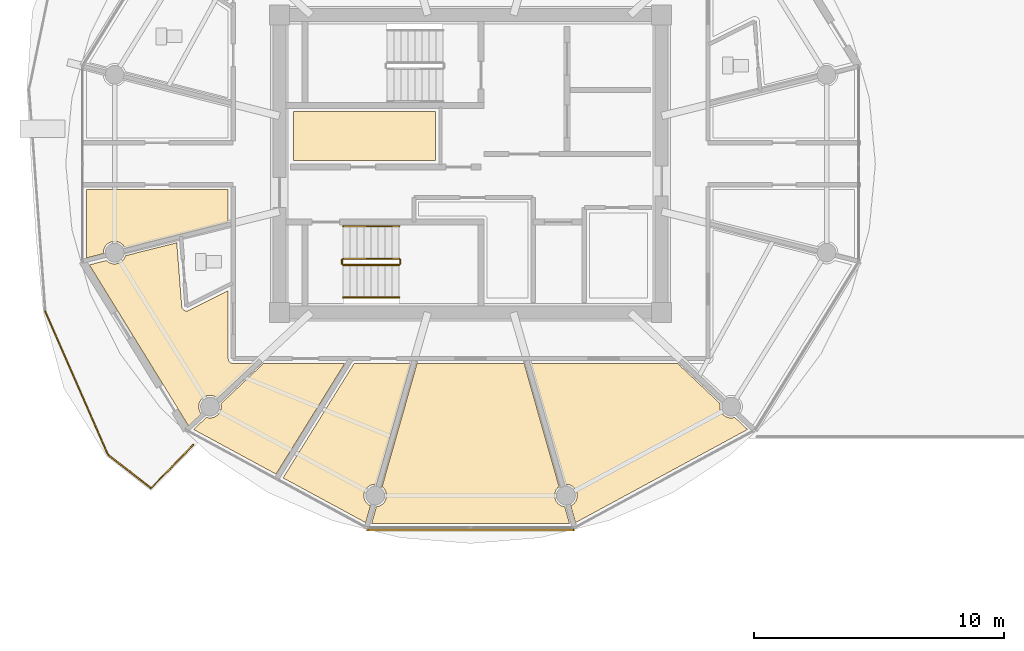
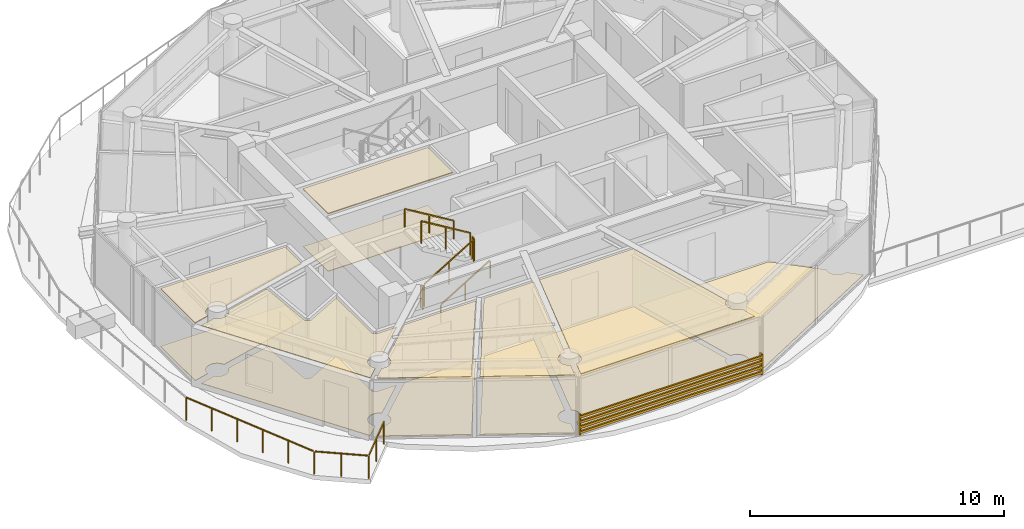
# One storey, part 21 of 30: 13 coverings, 7 railings, 1 shading device.
"""IFC4 building model written with IfcOpenShell, lengths in metres."""

from ifc_helpers import new_model, si_unit, direction, frame, origin, origin_2d, place, context, subcontext, project, spatial, polyline, rectangle, outline, extrude, source, transform, mapped, material, layer, layer_set, type_object, type_shapes, element, save


model = new_model("IFC4")

# Units and contexts
model_context = context("Model", 3, precision=1e-05, world=origin(), true_north=direction((0.0, 1.0)))
body_context = subcontext(model_context, "Body", "Model", "MODEL_VIEW")
ifc_project = project(units=[si_unit("LENGTHUNIT", "METRE"), si_unit("AREAUNIT", "SQUARE_METRE"), si_unit("VOLUMEUNIT", "CUBIC_METRE"), si_unit("PLANEANGLEUNIT", "RADIAN"), si_unit("MASSUNIT", "GRAM", prefix="KILO")], contexts=[model_context])

# Site, building, storey
site_placement = place(None, origin())
site = spatial("IfcSite", under=ifc_project, at=site_placement, CompositionType="ELEMENT")
building_placement = place(site_placement, origin())
building = spatial("IfcBuilding", under=site, at=building_placement, Name="Norrkilde Senior Care Towers", CompositionType="ELEMENT")
storey_placement = place(building_placement, frame((0.0, 0.0, 232.199951171875)))
storey = spatial("IfcBuildingStorey", under=building, at=storey_placement, Name="L72", CompositionType="ELEMENT", Elevation=232.199951171875)

# Coverings
ifc_material_1 = material(Name="Nordic Ash Timber", Category="wood")
ifc_layer_1 = layer(ifc_material_1, 0.044921875)
ifc_layer_set_1 = layer_set([ifc_layer_1], Name="Nordic Ash Timber")
covering_type_1 = type_object("IfcCoveringType", Name="Acoustic Ash Timber Slatted Ceiling 45", PredefinedType="CEILING", material=ifc_layer_set_1)
covering_1_placement = place(storey_placement, frame((0.0, 0.0, 2.76513671875)))
element("IfcCovering", 1, at=covering_1_placement, inside=storey, type_object=covering_type_1, Name="L72 Suspended Ceiling 0421", PredefinedType="CEILING", context=body_context, shape_type="SweptSolid", body=[
    extrude(outline(polyline([(-29.39990234375, 0.1201171875), (-35.080078125, 0.1201171875), (-35.080078125, 2.090087890625), (-29.39990234375, 2.090087890625), (-29.39990234375, 0.1201171875)])), origin(), (0.0, 0.0, 1.0), 0.044921875),
])
covering_2_placement = place(storey_placement, frame((0.0, 0.0, 2.76513671875)))
element("IfcCovering", 2, at=covering_2_placement, inside=storey, type_object=covering_type_1, Name="L72 Suspended Ceiling 0424", PredefinedType="CEILING", context=body_context, shape_type="SweptSolid", body=[
    extrude(outline(polyline([(-37.699951171875, -1.0400390625), (-37.699951171875, -2.331298828125), (-41.834228515625, -3.377685546875), (-41.853271484375, -3.331298828125), (-41.92578125, -3.237060546875), (-42.02001953125, -3.164794921875), (-42.129638671875, -3.119384765625), (-42.247314453125, -3.103759765625), (-42.365234375, -3.119384765625), (-42.474853515625, -3.164794921875), (-42.569091796875, -3.237060546875), (-42.641357421875, -3.331298828125), (-42.68701171875, -3.44091796875), (-42.702392578125, -3.558837890625), (-42.697509765625, -3.59619140625), (-43.37353515625, -3.76708984375), (-43.37353515625, -1.0400390625), (-37.699951171875, -1.0400390625)])), origin(), (0.0, 0.0, 1.0), 0.044921875),
])
covering_3_placement = place(storey_placement, frame((0.0, 0.0, 2.76513671875)))
element("IfcCovering", 3, at=covering_3_placement, inside=storey, type_object=covering_type_1, Name="L72 Suspended Ceiling 0437", PredefinedType="CEILING", context=body_context, shape_type="SweptSolid", body=[
    extrude(outline(polyline([(-39.5556640625, -5.7470703125), (-39.552490234375, -5.758544921875), (-39.55029296875, -5.764892578125), (-39.546142578125, -5.77587890625), (-39.543212890625, -5.7822265625), (-39.5380859375, -5.792724609375), (-39.53466796875, -5.798583984375), (-39.5283203125, -5.80859375), (-39.5244140625, -5.814208984375), (-39.51708984375, -5.8232421875), (-39.5126953125, -5.82861328125), (-39.50439453125, -5.8369140625), (-39.49951171875, -5.841796875), (-39.49072265625, -5.849365234375), (-39.485107421875, -5.853515625), (-39.4755859375, -5.8603515625), (-39.4697265625, -5.864013671875), (-39.45947265625, -5.86962890625), (-39.453369140625, -5.872802734375), (-39.442626953125, -5.87744140625), (-39.436279296875, -5.880126953125), (-39.425048828125, -5.8837890625), (-39.41845703125, -5.885498046875), (-39.4072265625, -5.88818359375), (-39.400390625, -5.88916015625), (-39.388671875, -5.890625), (-39.3818359375, -5.89111328125), (-39.3701171875, -5.891357421875), (-39.36328125, -5.891357421875), (-39.3515625, -5.890380859375), (-39.3447265625, -5.8896484375), (-39.333251953125, -5.8876953125), (-39.326416015625, -5.88623046875), (-39.315185546875, -5.883056640625), (-39.30859375, -5.880859375), (-39.2978515625, -5.876708984375), (-39.29150390625, -5.873779296875), (-39.2861328125, -5.871337890625), (-37.699951171875, -5.076171875), (-37.699951171875, -7.800048828125), (-37.699951171875, -7.805908203125), (-37.699462890625, -7.813720703125), (-37.6982421875, -7.825439453125), (-37.697265625, -7.833251953125), (-37.69482421875, -7.8447265625), (-37.69287109375, -7.852294921875), (-37.689453125, -7.86376953125), (-37.68701171875, -7.87109375), (-37.682373046875, -7.8818359375), (-37.678955078125, -7.888916015625), (-37.673583984375, -7.8994140625), (-37.66943359375, -7.90625), (-37.662841796875, -7.916015625), (-37.658203125, -7.92236328125), (-37.65087890625, -7.931396484375), (-37.6455078125, -7.937255859375), (-37.63720703125, -7.945556640625), (-37.63134765625, -7.95068359375), (-37.622314453125, -7.958251953125), (-37.615966796875, -7.962890625), (-37.606201171875, -7.969482421875), (-37.599365234375, -7.973388671875), (-37.589111328125, -7.97900390625), (-37.58203125, -7.982421875), (-37.571044921875, -7.98681640625), (-37.563720703125, -7.989501953125), (-37.552490234375, -7.992919921875), (-37.544677734375, -7.994873046875), (-37.533203125, -7.9970703125), (-37.525390625, -7.998291015625), (-37.513671875, -7.99951171875), (-37.505859375, -7.999755859375), (-37.5, -8.0), (-36.644287109375, -8.0), (-38.11865234375, -9.392822265625), (-38.202392578125, -9.32861328125), (-38.31201171875, -9.283203125), (-38.429931640625, -9.267822265625), (-38.547607421875, -9.283203125), (-38.6572265625, -9.32861328125), (-38.75146484375, -9.40087890625), (-38.823974609375, -9.4951171875), (-38.869384765625, -9.60498046875), (-38.884765625, -9.72265625), (-38.869384765625, -9.840576171875), (-38.823974609375, -9.9501953125), (-38.775634765625, -10.01318359375), (-39.28662109375, -10.495849609375), (-43.25732421875, -4.04736328125), (-42.573974609375, -3.874267578125), (-42.569091796875, -3.880615234375), (-42.474853515625, -3.952880859375), (-42.365234375, -3.998291015625), (-42.247314453125, -4.013671875), (-42.129638671875, -3.998291015625), (-42.02001953125, -3.952880859375), (-41.92578125, -3.880615234375), (-41.853271484375, -3.786376953125), (-41.809814453125, -3.680908203125), (-39.760009765625, -3.162109375), (-39.560791015625, -5.71630859375), (-39.56005859375, -5.72216796875), (-39.559326171875, -5.72900390625), (-39.55712890625, -5.740478515625), (-39.5556640625, -5.7470703125)])), origin(), (0.0, 0.0, 1.0), 0.044921875),
])
covering_4_placement = place(storey_placement, frame((0.0, 0.0, 2.76513671875)))
element("IfcCovering", 4, at=covering_4_placement, inside=storey, type_object=covering_type_1, Name="L72 Suspended Ceiling 0440", PredefinedType="CEILING", context=body_context, shape_type="SweptSolid", body=[
    extrude(outline(polyline([(-31.96240234375, -14.407470703125), (-31.770263671875, -13.730224609375), (-31.69970703125, -13.720947265625), (-31.590087890625, -13.675537109375), (-31.495849609375, -13.603271484375), (-31.423583984375, -13.509033203125), (-31.378173828125, -13.399169921875), (-31.362548828125, -13.281494140625), (-31.378173828125, -13.163818359375), (-31.423583984375, -13.053955078125), (-31.495849609375, -12.959716796875), (-31.541748046875, -12.924560546875), (-30.144775390625, -8.0), (-25.855224609375, -8.0), (-24.458251953125, -12.924560546875), (-24.504150390625, -12.959716796875), (-24.576416015625, -13.053955078125), (-24.621826171875, -13.163818359375), (-24.637451171875, -13.281494140625), (-24.621826171875, -13.399169921875), (-24.576416015625, -13.509033203125), (-24.504150390625, -13.603271484375), (-24.409912109375, -13.675537109375), (-24.30029296875, -13.720947265625), (-24.229736328125, -13.730224609375), (-24.03759765625, -14.407470703125), (-31.96240234375, -14.407470703125)])), origin(), (0.0, 0.0, 1.0), 0.044921875),
])
ifc_material_2 = material(Name="Gypsum Acoustic Board")
ifc_layer_2 = layer(ifc_material_2, 0.030029296875)
ifc_layer_set_2 = layer_set([ifc_layer_2], Name="Gypsum Acoustic Board")
covering_type_2 = type_object("IfcCoveringType", Name="Medical Cleanable Gypsum Ceiling 30", PredefinedType="CEILING", material=ifc_layer_set_2)
covering_5_placement = place(storey_placement, frame((0.0, 0.0, 2.780029296875)))
element("IfcCovering", 5, at=covering_5_placement, inside=storey, type_object=covering_type_2, Name="L72 Suspended Ceiling 0438", PredefinedType="CEILING", context=body_context, shape_type="SweptSolid", body=[
    extrude(outline(polyline([(-38.57275390625, -10.15185546875), (-38.547607421875, -10.162109375), (-38.429931640625, -10.177734375), (-38.31201171875, -10.162109375), (-38.202392578125, -10.11669921875), (-38.108154296875, -10.04443359375), (-38.035888671875, -9.9501953125), (-37.990234375, -9.840576171875), (-37.974853515625, -9.72265625), (-37.990234375, -9.60498046875), (-37.9912109375, -9.6025390625), (-36.294677734375, -8.0), (-33.040771484375, -8.0), (-35.787353515625, -12.4228515625), (-39.08642578125, -10.636962890625), (-38.57275390625, -10.15185546875)])), origin(), (0.0, 0.0, 1.0), 0.030029296875),
])
covering_6_placement = place(storey_placement, frame((0.0, 0.0, 2.780029296875)))
element("IfcCovering", 6, at=covering_6_placement, inside=storey, type_object=covering_type_2, Name="L72 Suspended Ceiling 0439", PredefinedType="CEILING", context=body_context, shape_type="SweptSolid", body=[
    extrude(outline(polyline([(-31.76513671875, -12.833251953125), (-31.817626953125, -12.826416015625), (-31.935302734375, -12.842041015625), (-32.045166015625, -12.887451171875), (-32.139404296875, -12.959716796875), (-32.211669921875, -13.053955078125), (-32.257080078125, -13.163818359375), (-32.2724609375, -13.281494140625), (-32.257080078125, -13.399169921875), (-32.211669921875, -13.509033203125), (-32.139404296875, -13.603271484375), (-32.045166015625, -13.675537109375), (-32.008544921875, -13.690673828125), (-32.19970703125, -14.364990234375), (-35.50537109375, -12.575439453125), (-32.6640625, -8.0), (-30.39404296875, -8.0), (-31.76513671875, -12.833251953125)])), origin(), (0.0, 0.0, 1.0), 0.030029296875),
])
ifc_material_3 = material(Name="Slip-Resistant Porcelain Stone", Category="masonry")
ifc_layer_3 = layer(ifc_material_3, 0.02490234375)
ifc_layer_set_3 = layer_set([ifc_layer_3], Name="Slip-Resistant Porcelain Stone")
covering_type_3 = type_object("IfcCoveringType", Name="Slip-Resistant Porcelain Flooring 25", PredefinedType="FLOORING", material=ifc_layer_set_3)
covering_7_placement = place(storey_placement, origin())
element("IfcCovering", 7, at=covering_7_placement, inside=storey, type_object=covering_type_3, Name="L72 Floor Finish 0421", PredefinedType="FLOORING", context=body_context, shape_type="SweptSolid", body=[
    extrude(outline(polyline([(-29.39990234375, 0.1201171875), (-35.080078125, 0.1201171875), (-35.080078125, 2.090087890625), (-29.39990234375, 2.090087890625), (-29.39990234375, 0.1201171875)])), origin(), (0.0, 0.0, 1.0), 0.025146484375),
])
covering_8_placement = place(storey_placement, origin())
element("IfcCovering", 8, at=covering_8_placement, inside=storey, type_object=covering_type_3, Name="L72 Floor Finish 0424", PredefinedType="FLOORING", context=body_context, shape_type="SweptSolid", body=[
    extrude(outline(polyline([(-37.699951171875, -1.0400390625), (-37.699951171875, -2.331298828125), (-41.834228515625, -3.377685546875), (-41.853271484375, -3.331298828125), (-41.92578125, -3.237060546875), (-42.02001953125, -3.164794921875), (-42.129638671875, -3.119384765625), (-42.247314453125, -3.103759765625), (-42.365234375, -3.119384765625), (-42.474853515625, -3.164794921875), (-42.569091796875, -3.237060546875), (-42.641357421875, -3.331298828125), (-42.68701171875, -3.44091796875), (-42.702392578125, -3.558837890625), (-42.697509765625, -3.59619140625), (-43.37353515625, -3.76708984375), (-43.37353515625, -1.0400390625), (-37.699951171875, -1.0400390625)])), origin(), (0.0, 0.0, 1.0), 0.025146484375),
])
covering_9_placement = place(storey_placement, origin())
element("IfcCovering", 9, at=covering_9_placement, inside=storey, type_object=covering_type_3, Name="L72 Floor Finish 0437", PredefinedType="FLOORING", context=body_context, shape_type="SweptSolid", body=[
    extrude(outline(polyline([(-39.5556640625, -5.7470703125), (-39.552490234375, -5.758544921875), (-39.55029296875, -5.764892578125), (-39.546142578125, -5.77587890625), (-39.543212890625, -5.7822265625), (-39.5380859375, -5.792724609375), (-39.53466796875, -5.798583984375), (-39.5283203125, -5.80859375), (-39.5244140625, -5.814208984375), (-39.51708984375, -5.8232421875), (-39.5126953125, -5.82861328125), (-39.50439453125, -5.8369140625), (-39.49951171875, -5.841796875), (-39.49072265625, -5.849365234375), (-39.485107421875, -5.853515625), (-39.4755859375, -5.8603515625), (-39.4697265625, -5.864013671875), (-39.45947265625, -5.86962890625), (-39.453369140625, -5.872802734375), (-39.442626953125, -5.87744140625), (-39.436279296875, -5.880126953125), (-39.425048828125, -5.8837890625), (-39.41845703125, -5.885498046875), (-39.4072265625, -5.88818359375), (-39.400390625, -5.88916015625), (-39.388671875, -5.890625), (-39.3818359375, -5.89111328125), (-39.3701171875, -5.891357421875), (-39.36328125, -5.891357421875), (-39.3515625, -5.890380859375), (-39.3447265625, -5.8896484375), (-39.333251953125, -5.8876953125), (-39.326416015625, -5.88623046875), (-39.315185546875, -5.883056640625), (-39.30859375, -5.880859375), (-39.2978515625, -5.876708984375), (-39.29150390625, -5.873779296875), (-39.2861328125, -5.871337890625), (-37.699951171875, -5.076171875), (-37.699951171875, -7.800048828125), (-37.699951171875, -7.805908203125), (-37.699462890625, -7.813720703125), (-37.6982421875, -7.825439453125), (-37.697265625, -7.833251953125), (-37.69482421875, -7.8447265625), (-37.69287109375, -7.852294921875), (-37.689453125, -7.86376953125), (-37.68701171875, -7.87109375), (-37.682373046875, -7.8818359375), (-37.678955078125, -7.888916015625), (-37.673583984375, -7.8994140625), (-37.66943359375, -7.90625), (-37.662841796875, -7.916015625), (-37.658203125, -7.92236328125), (-37.65087890625, -7.931396484375), (-37.6455078125, -7.937255859375), (-37.63720703125, -7.945556640625), (-37.63134765625, -7.95068359375), (-37.622314453125, -7.958251953125), (-37.615966796875, -7.962890625), (-37.606201171875, -7.969482421875), (-37.599365234375, -7.973388671875), (-37.589111328125, -7.97900390625), (-37.58203125, -7.982421875), (-37.571044921875, -7.98681640625), (-37.563720703125, -7.989501953125), (-37.552490234375, -7.992919921875), (-37.544677734375, -7.994873046875), (-37.533203125, -7.9970703125), (-37.525390625, -7.998291015625), (-37.513671875, -7.99951171875), (-37.505859375, -7.999755859375), (-37.5, -8.0), (-36.644287109375, -8.0), (-38.11865234375, -9.392822265625), (-38.202392578125, -9.32861328125), (-38.31201171875, -9.283203125), (-38.429931640625, -9.267822265625), (-38.547607421875, -9.283203125), (-38.6572265625, -9.32861328125), (-38.75146484375, -9.40087890625), (-38.823974609375, -9.4951171875), (-38.869384765625, -9.60498046875), (-38.884765625, -9.72265625), (-38.869384765625, -9.840576171875), (-38.823974609375, -9.9501953125), (-38.775634765625, -10.01318359375), (-39.28662109375, -10.495849609375), (-43.25732421875, -4.04736328125), (-42.573974609375, -3.874267578125), (-42.569091796875, -3.880615234375), (-42.474853515625, -3.952880859375), (-42.365234375, -3.998291015625), (-42.247314453125, -4.013671875), (-42.129638671875, -3.998291015625), (-42.02001953125, -3.952880859375), (-41.92578125, -3.880615234375), (-41.853271484375, -3.786376953125), (-41.809814453125, -3.680908203125), (-39.760009765625, -3.162109375), (-39.560791015625, -5.71630859375), (-39.56005859375, -5.72216796875), (-39.559326171875, -5.72900390625), (-39.55712890625, -5.740478515625), (-39.5556640625, -5.7470703125)])), origin(), (0.0, 0.0, 1.0), 0.025146484375),
])
covering_10_placement = place(storey_placement, origin())
element("IfcCovering", 10, at=covering_10_placement, inside=storey, type_object=covering_type_3, Name="L72 Floor Finish 0438", PredefinedType="FLOORING", context=body_context, shape_type="SweptSolid", body=[
    extrude(outline(polyline([(-38.57275390625, -10.15185546875), (-38.547607421875, -10.162109375), (-38.429931640625, -10.177734375), (-38.31201171875, -10.162109375), (-38.202392578125, -10.11669921875), (-38.108154296875, -10.04443359375), (-38.035888671875, -9.9501953125), (-37.990234375, -9.840576171875), (-37.974853515625, -9.72265625), (-37.990234375, -9.60498046875), (-37.9912109375, -9.6025390625), (-36.294677734375, -8.0), (-33.040771484375, -8.0), (-35.787353515625, -12.4228515625), (-39.08642578125, -10.636962890625), (-38.57275390625, -10.15185546875)])), origin(), (0.0, 0.0, 1.0), 0.025146484375),
])
covering_11_placement = place(storey_placement, origin())
element("IfcCovering", 11, at=covering_11_placement, inside=storey, type_object=covering_type_3, Name="L72 Floor Finish 0439", PredefinedType="FLOORING", context=body_context, shape_type="SweptSolid", body=[
    extrude(outline(polyline([(-31.76513671875, -12.833251953125), (-31.817626953125, -12.826416015625), (-31.935302734375, -12.842041015625), (-32.045166015625, -12.887451171875), (-32.139404296875, -12.959716796875), (-32.211669921875, -13.053955078125), (-32.257080078125, -13.163818359375), (-32.2724609375, -13.281494140625), (-32.257080078125, -13.399169921875), (-32.211669921875, -13.509033203125), (-32.139404296875, -13.603271484375), (-32.045166015625, -13.675537109375), (-32.008544921875, -13.690673828125), (-32.19970703125, -14.364990234375), (-35.50537109375, -12.575439453125), (-32.6640625, -8.0), (-30.39404296875, -8.0), (-31.76513671875, -12.833251953125)])), origin(), (0.0, 0.0, 1.0), 0.025146484375),
])
covering_12_placement = place(storey_placement, origin())
element("IfcCovering", 12, at=covering_12_placement, inside=storey, type_object=covering_type_3, Name="L72 Floor Finish 0440", PredefinedType="FLOORING", context=body_context, shape_type="SweptSolid", body=[
    extrude(outline(polyline([(-31.96240234375, -14.407470703125), (-31.770263671875, -13.730224609375), (-31.69970703125, -13.720947265625), (-31.590087890625, -13.675537109375), (-31.495849609375, -13.603271484375), (-31.423583984375, -13.509033203125), (-31.378173828125, -13.399169921875), (-31.362548828125, -13.281494140625), (-31.378173828125, -13.163818359375), (-31.423583984375, -13.053955078125), (-31.495849609375, -12.959716796875), (-31.541748046875, -12.924560546875), (-30.144775390625, -8.0), (-25.855224609375, -8.0), (-24.458251953125, -12.924560546875), (-24.504150390625, -12.959716796875), (-24.576416015625, -13.053955078125), (-24.621826171875, -13.163818359375), (-24.637451171875, -13.281494140625), (-24.621826171875, -13.399169921875), (-24.576416015625, -13.509033203125), (-24.504150390625, -13.603271484375), (-24.409912109375, -13.675537109375), (-24.30029296875, -13.720947265625), (-24.229736328125, -13.730224609375), (-24.03759765625, -14.407470703125), (-31.96240234375, -14.407470703125)])), origin(), (0.0, 0.0, 1.0), 0.025146484375),
])
covering_13_placement = place(storey_placement, origin())
element("IfcCovering", 13, at=covering_13_placement, inside=storey, type_object=covering_type_3, Name="L72 Floor Finish 0441", PredefinedType="FLOORING", context=body_context, shape_type="SweptSolid", body=[
    extrude(outline(polyline([(-23.80029296875, -14.364990234375), (-23.991455078125, -13.690673828125), (-23.954833984375, -13.675537109375), (-23.860595703125, -13.603271484375), (-23.788330078125, -13.509033203125), (-23.742919921875, -13.399169921875), (-23.7275390625, -13.281494140625), (-23.742919921875, -13.163818359375), (-23.788330078125, -13.053955078125), (-23.860595703125, -12.959716796875), (-23.954833984375, -12.887451171875), (-24.064697265625, -12.842041015625), (-24.182373046875, -12.826416015625), (-24.23486328125, -12.833251953125), (-25.60595703125, -8.0), (-19.705322265625, -8.0), (-18.0087890625, -9.6025390625), (-18.009765625, -9.60498046875), (-18.025146484375, -9.72265625), (-18.009765625, -9.840576171875), (-17.964111328125, -9.9501953125), (-17.891845703125, -10.04443359375), (-17.797607421875, -10.11669921875), (-17.68798828125, -10.162109375), (-17.570068359375, -10.177734375), (-17.452392578125, -10.162109375), (-17.42724609375, -10.15185546875), (-16.91357421875, -10.636962890625), (-23.80029296875, -14.364990234375)])), origin(), (0.0, 0.0, 1.0), 0.025146484375),
])

# Railings
ifc_material_4 = material(Name="Stainless Steel", Category="steel")
railing_type_1 = type_object("IfcRailingType", Name="Stair and Terrace Guardrail 1100", PredefinedType="GUARDRAIL", material=ifc_material_4)
railing_1_placement = place(storey_placement, frame((-39.0966796875, -11.249267578125, 0.0)))
element("IfcRailing", 14, at=railing_1_placement, inside=storey, type_object=railing_type_1, Name="L72 Perimeter Safety Guard 06", PredefinedType="GUARDRAIL", context=body_context, shape_type="SweptSolid", body=[
    extrude(rectangle(XDim=0.048095703125, YDim=0.048095703125, at=origin_2d()), frame((0.0, 0.0, 1.09619140625), z_axis=(-0.698662949039, -0.715450965224, 0.0), x_axis=(0.715450965224, -0.698662949039, 0.0)), (0.0, 0.0, 1.0), 2.3876953125),
    extrude(rectangle(XDim=0.048095703125, YDim=0.048095703125, at=origin_2d()), frame((-1.72900390625, -1.71240234375, 1.09619140625), z_axis=(-0.788844768845, 0.614592491548, 0.0), x_axis=(-0.614592491548, -0.788844768845, 0.0)), (0.0, 0.0, 1.0), 2.095458984375),
    extrude(rectangle(XDim=0.048095703125, YDim=0.048095703125, at=origin_2d()), frame((-3.4306640625, -0.362060546875, 1.09619140625), z_axis=(-0.401444631461, 0.915883293805, 0.0), x_axis=(-0.915883293805, -0.401444631461, 0.0)), (0.0, 0.0, 1.0), 6.220703125),
    extrude(rectangle(XDim=0.0419921875, YDim=0.0419921875, at=origin_2d()), origin(), (0.0, 0.0, 1.0), 1.070068359375),
    extrude(rectangle(XDim=0.0419921875, YDim=0.0419921875, at=origin_2d()), frame((-0.848388671875, -0.86865234375, 0.0)), (0.0, 0.0, 1.0), 1.070068359375),
    extrude(rectangle(XDim=0.0419921875, YDim=0.0419921875, at=origin_2d()), frame((-1.69677734375, -1.737548828125, 0.0)), (0.0, 0.0, 1.0), 1.070068359375),
    extrude(rectangle(XDim=0.0419921875, YDim=0.0419921875, at=origin_2d()), frame((-2.5556640625, -1.068359375, 0.0)), (0.0, 0.0, 1.0), 1.070068359375),
    extrude(rectangle(XDim=0.0419921875, YDim=0.0419921875, at=origin_2d()), frame((-3.414306640625, -0.3994140625, 0.0)), (0.0, 0.0, 1.0), 1.070068359375),
    extrude(rectangle(XDim=0.0419921875, YDim=0.0419921875, at=origin_2d()), frame((-3.9169921875, 0.74755859375, 0.0)), (0.0, 0.0, 1.0), 1.070068359375),
    extrude(rectangle(XDim=0.0419921875, YDim=0.0419921875, at=origin_2d()), frame((-4.419677734375, 1.89453125, 0.0)), (0.0, 0.0, 1.0), 1.070068359375),
    extrude(rectangle(XDim=0.0419921875, YDim=0.0419921875, at=origin_2d()), frame((-4.922607421875, 3.04150390625, 0.0)), (0.0, 0.0, 1.0), 1.070068359375),
    extrude(rectangle(XDim=0.0419921875, YDim=0.0419921875, at=origin_2d()), frame((-5.42529296875, 4.1884765625, 0.0)), (0.0, 0.0, 1.0), 1.070068359375),
    extrude(rectangle(XDim=0.0419921875, YDim=0.0419921875, at=origin_2d()), frame((-5.927978515625, 5.33544921875, 0.0)), (0.0, 0.0, 1.0), 1.070068359375),
])
railing_2_placement = place(storey_placement, frame((-33.10009765625, -4.050048828125, 0.16943359375)))
element("IfcRailing", 15, at=railing_2_placement, inside=storey, type_object=railing_type_1, Name="L72 ST-W2 stair guard 1", PredefinedType="GUARDRAIL", context=body_context, shape_type="SweptSolid", body=[
    extrude(rectangle(XDim=0.048095703125, YDim=0.048095703125, at=origin_2d()), frame((0.0, 0.0, 1.076171875), z_axis=(0.855512035549, 0.0, 0.517782924622), x_axis=(0.0, 1.0, 0.0)), (0.0, 0.0, 1.0), 2.618408203125),
    extrude(rectangle(XDim=0.0419921875, YDim=0.0419921875, at=origin_2d()), origin(), (0.0, 0.0, 1.0), 1.050048828125),
    extrude(rectangle(XDim=0.0419921875, YDim=0.0419921875, at=origin_2d()), frame((1.1201171875, 0.0, 0.677734375)), (0.0, 0.0, 1.0), 1.050048828125),
    extrude(rectangle(XDim=0.0419921875, YDim=0.0419921875, at=origin_2d()), frame((2.239990234375, 0.0, 1.355712890625)), (0.0, 0.0, 1.0), 1.050048828125),
])
railing_3_placement = place(storey_placement, frame((-30.81005859375, -4.0, 1.525146484375)))
element("IfcRailing", 16, at=railing_3_placement, inside=storey, type_object=railing_type_1, Name="L72 ST-W2 stair guard 2", PredefinedType="GUARDRAIL", context=body_context, shape_type="SweptSolid", body=[
    extrude(rectangle(XDim=0.048095703125, YDim=0.048095703125, at=origin_2d()), frame((0.0, 0.0, 1.076171875), z_axis=(0.0, 1.0, 0.0), x_axis=(-1.0, 0.0, 0.0)), (0.0, 0.0, 1.0), 0.14990234375),
    extrude(rectangle(XDim=0.0419921875, YDim=0.0419921875, at=origin_2d()), origin(), (0.0, 0.0, 1.0), 1.050048828125),
    extrude(rectangle(XDim=0.0419921875, YDim=0.0419921875, at=origin_2d()), frame((0.0, 0.14990234375, 0.0)), (0.0, 0.0, 1.0), 1.050048828125),
])
railing_4_placement = place(storey_placement, frame((-30.860107421875, -3.800048828125, 1.694580078125)))
element("IfcRailing", 17, at=railing_4_placement, inside=storey, type_object=railing_type_1, Name="L72 ST-W2 stair guard 3", PredefinedType="GUARDRAIL", context=body_context, shape_type="SweptSolid", body=[
    extrude(rectangle(XDim=0.048095703125, YDim=0.048095703125, at=origin_2d()), frame((0.0, 0.0, 1.076171875), z_axis=(-0.855553338991, 0.0, 0.51771467445), x_axis=(0.0, -1.0, 0.0)), (0.0, 0.0, 1.0), 2.6181640625),
    extrude(rectangle(XDim=0.0419921875, YDim=0.0419921875, at=origin_2d()), origin(), (0.0, 0.0, 1.0), 1.050048828125),
    extrude(rectangle(XDim=0.0419921875, YDim=0.0419921875, at=origin_2d()), frame((-1.1201171875, 0.0, 0.677734375)), (0.0, 0.0, 1.0), 1.050048828125),
    extrude(rectangle(XDim=0.0419921875, YDim=0.0419921875, at=origin_2d()), frame((-2.239990234375, 0.0, 1.35546875)), (0.0, 0.0, 1.0), 1.050048828125),
])
railing_5_placement = place(storey_placement, frame((-33.14990234375, -4.0, 0.0)))
element("IfcRailing", 18, at=railing_5_placement, inside=storey, type_object=railing_type_1, Name="L72 ST-W2 stair guard 4", PredefinedType="GUARDRAIL", context=body_context, shape_type="SweptSolid", body=[
    extrude(rectangle(XDim=0.048095703125, YDim=0.048095703125, at=origin_2d()), frame((0.0, 0.0, 1.076171875), z_axis=(0.0, 1.0, 0.0), x_axis=(-1.0, 0.0, 0.0)), (0.0, 0.0, 1.0), 0.14990234375),
    extrude(rectangle(XDim=0.0419921875, YDim=0.0419921875, at=origin_2d()), origin(), (0.0, 0.0, 1.0), 1.050048828125),
    extrude(rectangle(XDim=0.0419921875, YDim=0.0419921875, at=origin_2d()), frame((0.0, 0.14990234375, 0.0)), (0.0, 0.0, 1.0), 1.050048828125),
])
railing_type_2 = type_object("IfcRailingType", Name="Wall and Stair Handrail 900", PredefinedType="HANDRAIL", material=ifc_material_1)
railing_6_placement = place(storey_placement, frame((-33.10009765625, -5.35009765625, 0.16943359375)))
element("IfcRailing", 19, at=railing_6_placement, inside=storey, type_object=railing_type_2, Name="L72 ST-W2 stair handrail 1", PredefinedType="HANDRAIL", context=body_context, shape_type="SweptSolid", body=[
    extrude(rectangle(XDim=0.048095703125, YDim=0.048095703125, at=origin_2d()), frame((0.0, 0.0, 0.8759765625), z_axis=(0.855512035549, 0.0, 0.517782924622), x_axis=(0.0, 1.0, 0.0)), (0.0, 0.0, 1.0), 2.618408203125),
    extrude(rectangle(XDim=0.0419921875, YDim=0.0419921875, at=origin_2d()), origin(), (0.0, 0.0, 1.0), 0.849853515625),
    extrude(rectangle(XDim=0.0419921875, YDim=0.0419921875, at=origin_2d()), frame((1.1201171875, 0.0, 0.677734375)), (0.0, 0.0, 1.0), 0.849853515625),
    extrude(rectangle(XDim=0.0419921875, YDim=0.0419921875, at=origin_2d()), frame((2.239990234375, 0.0, 1.355712890625)), (0.0, 0.0, 1.0), 0.849853515625),
])
railing_7_placement = place(storey_placement, frame((-30.860107421875, -2.5, 1.694580078125)))
element("IfcRailing", 20, at=railing_7_placement, inside=storey, type_object=railing_type_2, Name="L72 ST-W2 stair handrail 2", PredefinedType="HANDRAIL", context=body_context, shape_type="SweptSolid", body=[
    extrude(rectangle(XDim=0.048095703125, YDim=0.048095703125, at=origin_2d()), frame((0.0, 0.0, 0.8759765625), z_axis=(-0.855553338991, 0.0, 0.51771467445), x_axis=(0.0, -1.0, 0.0)), (0.0, 0.0, 1.0), 2.6181640625),
    extrude(rectangle(XDim=0.0419921875, YDim=0.0419921875, at=origin_2d()), origin(), (0.0, 0.0, 1.0), 0.849853515625),
    extrude(rectangle(XDim=0.0419921875, YDim=0.0419921875, at=origin_2d()), frame((-1.1201171875, 0.0, 0.677734375)), (0.0, 0.0, 1.0), 0.849853515625),
    extrude(rectangle(XDim=0.0419921875, YDim=0.0419921875, at=origin_2d()), frame((-2.239990234375, 0.0, 1.35546875)), (0.0, 0.0, 1.0), 0.849853515625),
])

# Shading device
ifc_material_5 = material(Name="Architectural Terracotta", Category="masonry")
shading_device_type = type_object("IfcShadingDeviceType", Name="Horizontal Terracotta Baguette Rack", PredefinedType="USERDEFINED", material=ifc_material_5)
shared_shape = source(origin(), body_context, "Body", "SweptSolid", [
    extrude(rectangle(XDim=0.070068359375, YDim=0.110107421875, at=origin_2d()), frame((0.0, 0.090087890625, 0.125), z_axis=(1.0, 0.0, 0.0), x_axis=(0.0, 1.0, 0.0)), (0.0, 0.0, 1.0), 8.32373046875),
    extrude(rectangle(XDim=0.070068359375, YDim=0.110107421875, at=origin_2d()), frame((0.0, 0.090087890625, 0.375), z_axis=(1.0, 0.0, 0.0), x_axis=(0.0, 1.0, 0.0)), (0.0, 0.0, 1.0), 8.32373046875),
    extrude(rectangle(XDim=0.070068359375, YDim=0.110107421875, at=origin_2d()), frame((0.0, 0.090087890625, 0.625), z_axis=(1.0, 0.0, 0.0), x_axis=(0.0, 1.0, 0.0)), (0.0, 0.0, 1.0), 8.32373046875),
    extrude(rectangle(XDim=0.070068359375, YDim=0.110107421875, at=origin_2d()), frame((0.0, 0.090087890625, 0.875), z_axis=(1.0, 0.0, 0.0), x_axis=(0.0, 1.0, 0.0)), (0.0, 0.0, 1.0), 8.32373046875),
    extrude(rectangle(XDim=0.050048828125, YDim=0.1552734375, at=origin_2d()), frame((0.02490234375, 0.047607421875, 0.0)), (0.0, 0.0, 1.0), 1.0),
    extrude(rectangle(XDim=0.050048828125, YDim=0.1552734375, at=origin_2d()), frame((8.298828125, 0.047607421875, 0.0)), (0.0, 0.0, 1.0), 1.0),
])
type_shapes(shading_device_type, [shared_shape])
shading_device_placement = place(storey_placement, frame((-23.838134765625, -14.566162109375, 0.080078125), z_axis=(0.0, 0.0, 1.0), x_axis=(-1.0, 0.0, 0.0)))
element("IfcShadingDevice", 21, at=shading_device_placement, inside=storey, type_object=shading_device_type, Name="L72 Drum W Terracotta Baguette Screen 08", ObjectType="BAGUETTE", PredefinedType="USERDEFINED", context=body_context, shape_type="MappedRepresentation", body=[
    mapped(shared_shape, transform((0.0, 0.0, 0.0), x_axis=(1.0, 0.0, 0.0), y_axis=(0.0, 1.0, 0.0), z_axis=(0.0, 0.0, 1.0), scale=1.0)),
])

save(model, "model.ifc")
